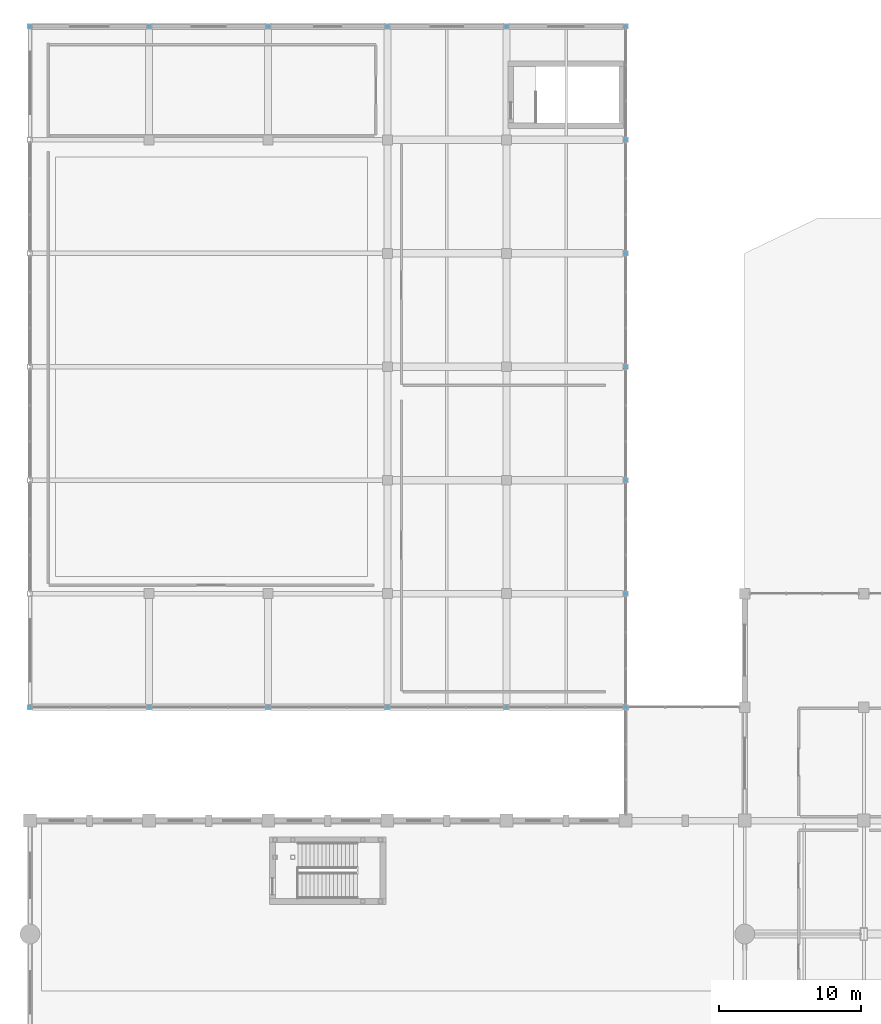
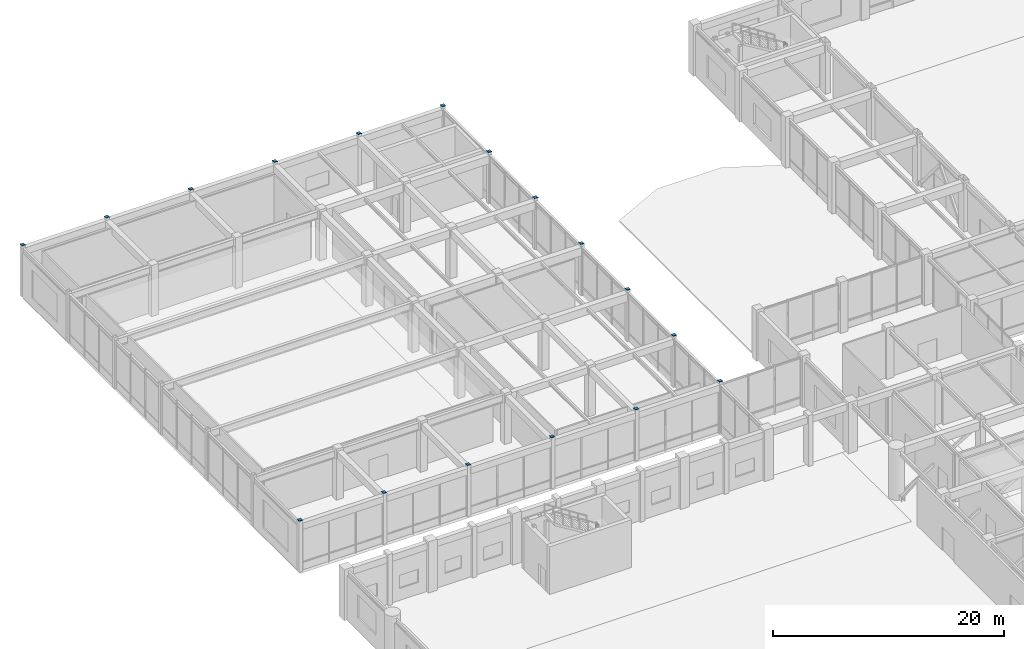
# One storey, part 68 of 79: 17 discrete accessories.
"""IFC4 building model written with IfcOpenShell, lengths in metres."""

from ifc_helpers import new_model, si_unit, direction, frame, origin, origin_2d, place, context, subcontext, project, spatial, rectangle, extrude, material, layer, layer_set, type_object, element, save


model = new_model("IFC4")

# Units and contexts
model_context = context("Model", 3, precision=1e-05, world=origin(), true_north=direction((0.0, 1.0)))
body_context = subcontext(model_context, "Body", "Model", "MODEL_VIEW")
ifc_project = project(units=[si_unit("LENGTHUNIT", "METRE"), si_unit("AREAUNIT", "SQUARE_METRE"), si_unit("VOLUMEUNIT", "CUBIC_METRE"), si_unit("PLANEANGLEUNIT", "RADIAN"), si_unit("MASSUNIT", "GRAM", prefix="KILO")], contexts=[model_context])

# Site, building, storey
site_placement = place(None, origin())
site = spatial("IfcSite", under=ifc_project, at=site_placement, CompositionType="ELEMENT")
building_placement = place(site_placement, origin())
building = spatial("IfcBuilding", under=site, at=building_placement, Name="Naruveol Harbour Congress Hotel", CompositionType="ELEMENT")
storey_placement = place(building_placement, frame((0.0, 0.0, 6.0)))
storey = spatial("IfcBuildingStorey", under=building, at=storey_placement, Name="L01", CompositionType="ELEMENT", Elevation=6.0)

# Discrete accessories
ifc_material = material(Name="Steel SN490", Category="steel")
ifc_layer = layer(ifc_material, 0.01611328125)
ifc_layer_set = layer_set([ifc_layer], Name="Steel SN490")
discrete_accessory_type = type_object("IfcDiscreteAccessoryType", Name="STEEL COLUMN END CAP PLATE 16", PredefinedType="USERDEFINED", material=ifc_layer_set)
for number, where, z_axis, x_axis, name in (
    (1, (0.0, 64.0, 5.39990234375), (0.0, 0.0, 1.0), (1.0, 0.0, 0.0), "Column end cap plate SC-S350 (COL-L01-0000-0640)"),
    (2, (0.0, 112.0, 5.39990234375), (0.0, 0.0, 1.0), (1.0, 0.0, 0.0), "Column end cap plate SC-S350 (COL-L01-0000-1120)"),
    (3, (8.39990234375, 64.0, 5.39990234375), (0.0, 0.0, 1.0), (1.0, 0.0, 0.0), "Column end cap plate SC-S350 (COL-L01-0084-0640)"),
    (4, (8.39990234375, 112.0, 5.39990234375), (0.0, 0.0, 1.0), (1.0, 0.0, 0.0), "Column end cap plate SC-S350 (COL-L01-0084-1120)"),
    (5, (16.800048828125, 64.0, 5.39990234375), (0.0, 0.0, 1.0), (1.0, 0.0, 0.0), "Column end cap plate SC-S350 (COL-L01-0168-0640)"),
    (6, (16.800048828125, 112.0, 5.39990234375), (0.0, 0.0, 1.0), (1.0, 0.0, 0.0), "Column end cap plate SC-S350 (COL-L01-0168-1120)"),
    (7, (25.199951171875, 64.0, 5.39990234375), (0.0, 0.0, 1.0), (1.0, 0.0, 0.0), "Column end cap plate SC-S350 (COL-L01-0252-0640)"),
    (8, (25.199951171875, 112.0, 5.39990234375), (0.0, 0.0, 1.0), (1.0, 0.0, 0.0), "Column end cap plate SC-S350 (COL-L01-0252-1120)"),
    (9, (33.60009765625, 64.0, 5.39990234375), (0.0, 0.0, 1.0), (1.0, 0.0, 0.0), "Column end cap plate SC-S350 (COL-L01-0336-0640)"),
    (10, (33.60009765625, 112.0, 5.39990234375), (0.0, 0.0, 1.0), (1.0, 0.0, 0.0), "Column end cap plate SC-S350 (COL-L01-0336-1120)"),
    (11, (42.0, 64.0, 5.39990234375), (0.0, 0.0, 1.0), (1.0, 0.0, 0.0), "Column end cap plate SC-S350 (COL-L01-0420-0640)"),
    (12, (42.0, 72.0, 5.39990234375), (0.0, 0.0, 1.0), (1.0, 0.0, 0.0), "Column end cap plate SC-S350 (COL-L01-0420-0720)"),
    (13, (42.0, 80.0, 5.39990234375), (0.0, 0.0, 1.0), (1.0, 0.0, 0.0), "Column end cap plate SC-S350 (COL-L01-0420-0800)"),
    (14, (42.0, 88.0, 5.39990234375), (0.0, 0.0, 1.0), (1.0, 0.0, 0.0), "Column end cap plate SC-S350 (COL-L01-0420-0880)"),
    (15, (42.0, 96.0, 5.39990234375), (0.0, 0.0, 1.0), (1.0, 0.0, 0.0), "Column end cap plate SC-S350 (COL-L01-0420-0960)"),
    (16, (42.0, 104.0, 5.39990234375), (0.0, 0.0, 1.0), (1.0, 0.0, 0.0), "Column end cap plate SC-S350 (COL-L01-0420-1040)"),
    (17, (42.0, 112.0, 5.39990234375), (0.0, 0.0, 1.0), (1.0, 0.0, 0.0), "Column end cap plate SC-S350 (COL-L01-0420-1120)"),
):
    element("IfcDiscreteAccessory", number, at=place(storey_placement, frame(where, z_axis=z_axis, x_axis=x_axis)), inside=storey, type_object=discrete_accessory_type, Name=name, ObjectType="COLUMN END CAP PLATE", PredefinedType="USERDEFINED", context=body_context, shape_type="SweptSolid", body=[
        extrude(rectangle(XDim=0.35009765625, YDim=0.35009765625, at=origin_2d()), origin(), (0.0, 0.0, 1.0), 0.01611328125),
    ])

save(model, "model.ifc")
